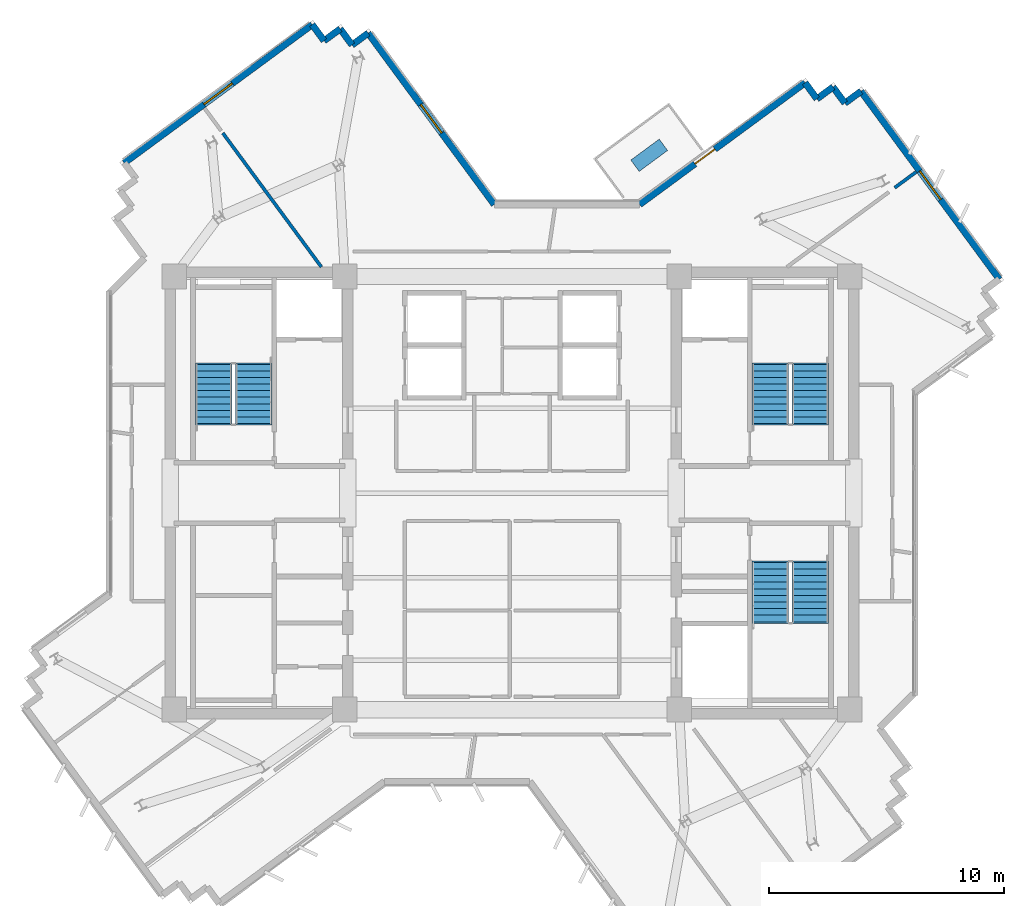
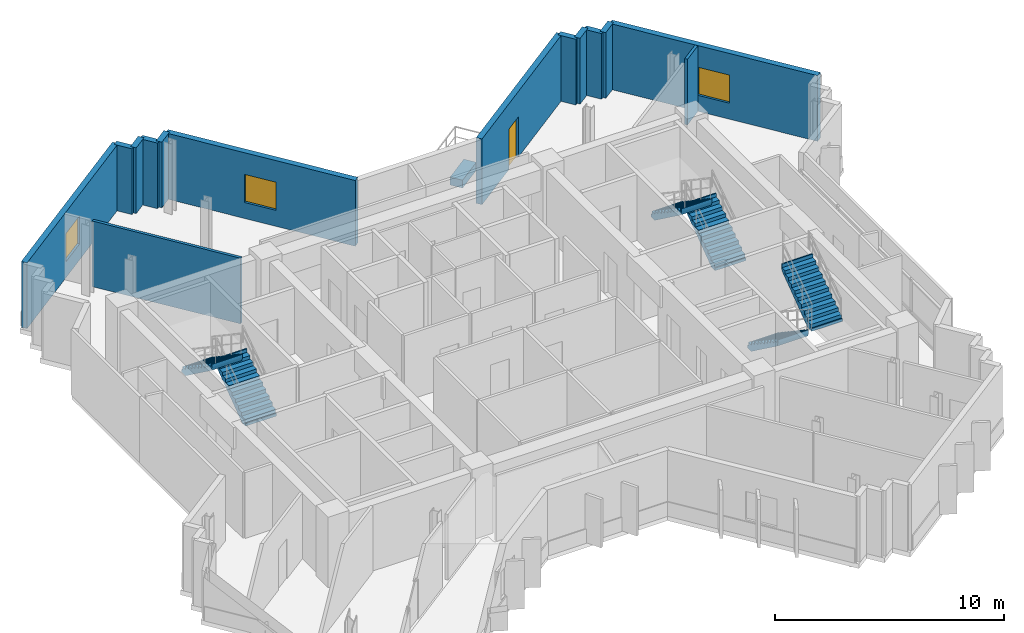
# One storey, part 10 of 13: 14 walls, 6 stair flights, 3 windows, 1 discrete accessory, 1 door, 4 openings, 3 elements without a shape of their own.
"""IFC4 building model written with IfcOpenShell, lengths in metres."""

from ifc_helpers import new_model, si_unit, direction, frame, frame_2d, origin, origin_2d, place, context, subcontext, project, spatial, polyline, rectangle, outline, extrude, source, transform, mapped, material, layer, layer_set, type_object, element, fill, aggregate, save


model = new_model("IFC4")

# Units and contexts
model_context = context("Model", 3, precision=1e-05, world=origin(), true_north=direction((0.0, 1.0)))
body_context = subcontext(model_context, "Body", "Model", "MODEL_VIEW")
ifc_project = project(units=[si_unit("LENGTHUNIT", "METRE"), si_unit("AREAUNIT", "SQUARE_METRE"), si_unit("VOLUMEUNIT", "CUBIC_METRE"), si_unit("PLANEANGLEUNIT", "RADIAN"), si_unit("MASSUNIT", "GRAM", prefix="KILO")], contexts=[model_context])

# Site, building, storey
site_placement = place(None, origin())
site = spatial("IfcSite", under=ifc_project, at=site_placement, CompositionType="ELEMENT")
building_placement = place(site_placement, origin())
building = spatial("IfcBuilding", under=site, at=building_placement, Name="Zahravan Cultural Tower", CompositionType="ELEMENT")
storey_placement = place(building_placement, frame((0.0, 0.0, 276.60009765625)))
storey = spatial("IfcBuildingStorey", under=building, at=storey_placement, Name="L66", CompositionType="ELEMENT", Elevation=276.60009765625)

# Wall, opening, door
ifc_material_1 = material(Name="Precast concrete C40/50", Category="concrete")
ifc_layer_1 = layer(ifc_material_1, 0.280029296875)
ifc_layer_set_1 = layer_set([ifc_layer_1], Name="Precast concrete C40/50")
wall_type_1 = type_object("IfcWallType", Name="EW-TC-280", PredefinedType="SOLIDWALL", material=ifc_layer_set_1)
wall_1_placement = place(storey_placement, frame((41.423095703125, 39.260009765625, 0.0), z_axis=(0.0, 0.0, 1.0), x_axis=(0.805403112922, 0.592727446383, 0.0)))
wall_1 = element("IfcWall", 1, at=wall_1_placement, inside=storey, type_object=wall_type_1, Name="L66 Exterior Masonry Frame Wall 01", PredefinedType="SOLIDWALL", context=body_context, shape_type="SweptSolid", body=[
    extrude(rectangle(XDim=8.7255859375, YDim=0.280029296875, at=frame_2d((4.36279296875, 0.0))), origin(), (0.0, 0.0, 1.0), 3.5),
])
opening_1_placement = place(wall_1_placement, frame((2.9169921875, 0.0, 0.0)))
opening_1 = element("IfcOpeningElement", 2, at=opening_1_placement, cuts=wall_1, Name="Opening D-L66-TR-NE", PredefinedType="OPENING", context=body_context, shape_type="SweptSolid", body=[
    extrude(rectangle(XDim=1.050048828125, YDim=2.14990234375, at=frame_2d((0.52490234375, 1.074951171875))), frame((0.0, 0.14990234375, 0.0), z_axis=(0.0, -1.0, 0.0), x_axis=(1.0, 0.0, 0.0)), (0.0, 0.0, 1.0), 0.300048828125),
])
ifc_material_2 = material(Name="Anodised bronze-aluminium mullion", Category="aluminium")
door_type = type_object("IfcDoorType", Name="DR-TERR-1050", OperationType="NOTDEFINED", PredefinedType="DOOR", material=ifc_material_2)
shared_shape_1 = source(origin(), body_context, "Body", "SweptSolid", [
    extrude(rectangle(XDim=1.050048828125, YDim=2.14990234375, at=frame_2d((0.52490234375, 1.074951171875))), frame((0.0, 0.02490234375, 0.0), z_axis=(0.0, -1.0, 0.0), x_axis=(1.0, 0.0, 0.0)), (0.0, 0.0, 1.0), 0.050048828125),
])
door_placement = place(opening_1_placement, origin())
door = element("IfcDoor", 3, at=door_placement, inside=storey, type_object=door_type, Name="L66 Terrace Access Door NE", OperationType="SINGLE_SWING_LEFT", OverallHeight=2.14990234375, OverallWidth=1.050048828125, PredefinedType="DOOR", context=body_context, shape_type="MappedRepresentation", body=[
    mapped(shared_shape_1, transform((0.0, 0.0, 0.0), x_axis=(1.0, 0.0, 0.0), y_axis=(0.0, 1.0, 0.0), z_axis=(0.0, 0.0, 1.0), scale=1.0)),
])
fill(opening_1, door)

# Wall, opening, window
wall_2_placement = place(storey_placement, frame((50.827392578125, 44.0703125, 0.0), z_axis=(0.0, 0.0, 1.0), x_axis=(0.592722097771, -0.805407049146, 0.0)))
wall_2 = element("IfcWall", 4, at=wall_2_placement, inside=storey, type_object=wall_type_1, Name="L66 Exterior Masonry Frame Wall 06", PredefinedType="SOLIDWALL", context=body_context, shape_type="SweptSolid", body=[
    extrude(rectangle(XDim=9.920166015625, YDim=0.280029296875, at=frame_2d((4.9599609375, 0.0))), origin(), (0.0, 0.0, 1.0), 3.5),
])
opening_2_placement = place(wall_2_placement, frame((4.2099609375, 0.0, 0.85009765625)))
opening_2 = element("IfcOpeningElement", 5, at=opening_2_placement, cuts=wall_2, Name="Opening WN-03", PredefinedType="OPENING", context=body_context, shape_type="SweptSolid", body=[
    extrude(rectangle(XDim=1.5, YDim=1.5, at=frame_2d((0.75, 0.75))), frame((0.0, 0.14990234375, 0.0), z_axis=(0.0, -1.0, 0.0), x_axis=(1.0, 0.0, 0.0)), (0.0, 0.0, 1.0), 0.300048828125),
])
ifc_material_3 = material(Name="Low-E solar-control double glazing", Category="glass")
window_type = type_object("IfcWindowType", Name="WN-REC-1500X1500", PartitioningType="SINGLE_PANEL", PredefinedType="WINDOW", material=ifc_material_3)
shared_shape_2 = source(origin(), body_context, "Body", "SweptSolid", [
    extrude(rectangle(XDim=1.5, YDim=1.5, at=frame_2d((0.75, 0.75))), frame((0.0, 0.030029296875, 0.0), z_axis=(0.0, -1.0, 0.0), x_axis=(1.0, 0.0, 0.0)), (0.0, 0.0, 1.0), 0.06005859375),
])
window_1_placement = place(opening_2_placement, origin())
window_1 = element("IfcWindow", 6, at=window_1_placement, inside=storey, type_object=window_type, Name="L66 Recessed Solar Window 01", OverallHeight=1.5, OverallWidth=1.5, PartitioningType="SINGLE_PANEL", PredefinedType="WINDOW", context=body_context, shape_type="MappedRepresentation", body=[
    mapped(shared_shape_2, transform((0.0, 0.0, 0.0), x_axis=(1.0, 0.0, 0.0), y_axis=(0.0, 1.0, 0.0), z_axis=(0.0, 0.0, 1.0), scale=1.0)),
])
fill(opening_2, window_1)

wall_3_placement = place(storey_placement, frame((19.5224609375, 41.022216796875, 0.0), z_axis=(0.0, 0.0, 1.0), x_axis=(0.805418797839, 0.592706132994, 0.0)))
wall_3 = element("IfcWall", 7, at=wall_3_placement, inside=storey, type_object=wall_type_1, Name="L66 Exterior Masonry Frame Wall 42", PredefinedType="SOLIDWALL", context=body_context, shape_type="SweptSolid", body=[
    extrude(rectangle(XDim=9.919921875, YDim=0.280029296875, at=frame_2d((4.9599609375, 0.0))), origin(), (0.0, 0.0, 1.0), 3.5),
])
opening_3_placement = place(wall_3_placement, frame((4.2099609375, 0.0, 0.85009765625)))
opening_3 = element("IfcOpeningElement", 8, at=opening_3_placement, cuts=wall_3, Name="Opening WN-03", PredefinedType="OPENING", context=body_context, shape_type="SweptSolid", body=[
    extrude(rectangle(XDim=1.5, YDim=1.5, at=frame_2d((0.75, 0.75))), frame((0.0, 0.14990234375, 0.0), z_axis=(0.0, -1.0, 0.0), x_axis=(1.0, 0.0, 0.0)), (0.0, 0.0, 1.0), 0.300048828125),
])
window_2_placement = place(opening_3_placement, origin())
window_2 = element("IfcWindow", 9, at=window_2_placement, inside=storey, type_object=window_type, Name="L66 Recessed Solar Window 06", OverallHeight=1.5, OverallWidth=1.5, PartitioningType="SINGLE_PANEL", PredefinedType="WINDOW", context=body_context, shape_type="MappedRepresentation", body=[
    mapped(shared_shape_2, transform((0.0, 0.0, 0.0), x_axis=(1.0, 0.0, 0.0), y_axis=(0.0, 1.0, 0.0), z_axis=(0.0, 0.0, 1.0), scale=1.0)),
])
fill(opening_3, window_2)

wall_4_placement = place(storey_placement, frame((29.888916015625, 46.540283203125, 0.0), z_axis=(0.0, 0.0, 1.0), x_axis=(0.592715239748, -0.805412096117, 0.0)))
wall_4 = element("IfcWall", 10, at=wall_4_placement, inside=storey, type_object=wall_type_1, Name="L66 Exterior Masonry Frame Wall 47", PredefinedType="SOLIDWALL", context=body_context, shape_type="SweptSolid", body=[
    extrude(rectangle(XDim=9.039306640625, YDim=0.280029296875, at=frame_2d((4.51953125, 0.0))), origin(), (0.0, 0.0, 1.0), 3.5),
])
opening_4_placement = place(wall_4_placement, frame((3.77001953125, 0.0, 0.85009765625)))
opening_4 = element("IfcOpeningElement", 11, at=opening_4_placement, cuts=wall_4, Name="Opening WN-03", PredefinedType="OPENING", context=body_context, shape_type="SweptSolid", body=[
    extrude(rectangle(XDim=1.5, YDim=1.5, at=frame_2d((0.75, 0.75))), frame((0.0, 0.14990234375, 0.0), z_axis=(0.0, -1.0, 0.0), x_axis=(1.0, 0.0, 0.0)), (0.0, 0.0, 1.0), 0.300048828125),
])
window_3_placement = place(opening_4_placement, origin())
window_3 = element("IfcWindow", 12, at=window_3_placement, inside=storey, type_object=window_type, Name="L66 Recessed Solar Window 07", OverallHeight=1.5, OverallWidth=1.5, PartitioningType="SINGLE_PANEL", PredefinedType="WINDOW", context=body_context, shape_type="MappedRepresentation", body=[
    mapped(shared_shape_2, transform((0.0, 0.0, 0.0), x_axis=(1.0, 0.0, 0.0), y_axis=(0.0, 1.0, 0.0), z_axis=(0.0, 0.0, 1.0), scale=1.0)),
])
fill(opening_4, window_3)

# Walls
shared_shape_3 = source(origin(), body_context, "Body", "SweptSolid", [
    extrude(rectangle(XDim=0.85009765625, YDim=0.280029296875, at=frame_2d((0.425048828125, 0.0))), origin(), (0.0, 0.0, 1.0), 3.5),
])
for number, where, z_axis, x_axis, name in (
    (13, (48.45068359375, 44.431884765625, 0.0), (0.0, 0.0, 1.0), (0.592807079659, -0.80534450163, 0.0), "L66 Exterior Masonry Frame Wall 02"),
    (14, (50.142822265625, 43.56640625, 0.0), (0.0, 0.0, 1.0), (0.80534450163, 0.592807079659, 0.0), "L66 Exterior Masonry Frame Wall 05"),
    (15, (27.51220703125, 46.90185546875, 0.0), (0.0, 0.0, 1.0), (0.592807079659, -0.80534450163, 0.0), "L66 Exterior Masonry Frame Wall 43"),
    (16, (28.01611328125, 46.21728515625, 0.0), (0.0, 0.0, 1.0), (0.80534450163, 0.592807079659, 0.0), "L66 Exterior Masonry Frame Wall 44"),
):
    element("IfcWall", number, at=place(storey_placement, frame(where, z_axis=z_axis, x_axis=x_axis)), inside=storey, type_object=wall_type_1, Name=name, PredefinedType="SOLIDWALL", context=body_context, shape_type="MappedRepresentation", body=[
        mapped(shared_shape_3, transform((0.0, 0.0, 0.0), x_axis=(1.0, 0.0, 0.0), y_axis=(0.0, 1.0, 0.0), z_axis=(0.0, 0.0, 1.0), scale=1.0)),
    ])
shared_shape_4 = source(origin(), body_context, "Body", "SweptSolid", [
    extrude(rectangle(XDim=0.849853515625, YDim=0.280029296875, at=frame_2d((0.4248046875, 0.0))), origin(), (0.0, 0.0, 1.0), 3.5),
])
for number, where, z_axis, x_axis, name in (
    (17, (48.95458984375, 43.747314453125, 0.0), (0.0, 0.0, 1.0), (0.805481622783, 0.592620751712, 0.0), "L66 Exterior Masonry Frame Wall 03"),
    (18, (49.63916015625, 44.2509765625, 0.0), (0.0, 0.0, 1.0), (0.592620751712, -0.805481622783, 0.0), "L66 Exterior Masonry Frame Wall 04"),
    (19, (28.70068359375, 46.72119140625, 0.0), (0.0, 0.0, 1.0), (0.592620751712, -0.805481622783, 0.0), "L66 Exterior Masonry Frame Wall 45"),
    (20, (29.204345703125, 46.03662109375, 0.0), (0.0, 0.0, 1.0), (0.805481622783, 0.592620751712, 0.0), "L66 Exterior Masonry Frame Wall 46"),
):
    element("IfcWall", number, at=place(storey_placement, frame(where, z_axis=z_axis, x_axis=x_axis)), inside=storey, type_object=wall_type_1, Name=name, PredefinedType="SOLIDWALL", context=body_context, shape_type="MappedRepresentation", body=[
        mapped(shared_shape_4, transform((0.0, 0.0, 0.0), x_axis=(1.0, 0.0, 0.0), y_axis=(0.0, 1.0, 0.0), z_axis=(0.0, 0.0, 1.0), scale=1.0)),
    ])
ifc_material_4 = material(Name="Gypsum plasterboard partition")
ifc_layer_2 = layer(ifc_material_4, 0.139892578125)
ifc_layer_set_2 = layer_set([ifc_layer_2], Name="Gypsum plasterboard partition")
wall_type_2 = type_object("IfcWallType", Name="W-PART-140", PredefinedType="PARTITIONING", material=ifc_layer_set_2)
shared_shape_5 = source(origin(), body_context, "Body", "SweptSolid", [
    extrude(rectangle(XDim=7.06689453125, YDim=0.139892578125, at=frame_2d((3.533447265625, 0.0))), origin(), (0.0, 0.0, 1.0), 3.5),
])
wall_5_placement = place(storey_placement, frame((23.71240234375, 42.296875, 0.0), z_axis=(0.0, 0.0, 1.0), x_axis=(0.592689830588, -0.805430794493, 0.0)))
element("IfcWall", 21, at=wall_5_placement, inside=storey, type_object=wall_type_2, Name="L66 Interior Wall 094", PredefinedType="PARTITIONING", context=body_context, shape_type="MappedRepresentation", body=[
    mapped(shared_shape_5, transform((0.0, 0.0, 0.0), x_axis=(1.0, 0.0, 0.0), y_axis=(0.0, 1.0, 0.0), z_axis=(0.0, 0.0, 1.0), scale=1.0)),
])
shared_shape_6 = source(origin(), body_context, "Body", "SweptSolid", [
    extrude(rectangle(XDim=1.130126953125, YDim=0.139892578125, at=frame_2d((0.56494140625, 0.0))), origin(), (0.0, 0.0, 1.0), 3.5),
])
wall_6_placement = place(storey_placement, frame((52.26025390625, 39.971923828125, 0.0), z_axis=(0.0, 0.0, 1.0), x_axis=(0.805359802525, 0.592786292416, 0.0)))
element("IfcWall", 22, at=wall_6_placement, inside=storey, type_object=wall_type_2, Name="L66 Interior Wall 098", PredefinedType="PARTITIONING", context=body_context, shape_type="MappedRepresentation", body=[
    mapped(shared_shape_6, transform((0.0, 0.0, 0.0), x_axis=(1.0, 0.0, 0.0), y_axis=(0.0, 1.0, 0.0), z_axis=(0.0, 0.0, 1.0), scale=1.0)),
])

# Stair, stair flights
ifc_material_5 = material(Name="Concrete C45/55", Category="concrete")
stair_type = type_object("IfcStairType", Name="STR-DL-1550-375", PredefinedType="HALF_TURN_STAIR", material=ifc_material_5)
stair_1_placement = place(storey_placement, origin())
stair_1 = element("IfcStair", 23, at=stair_1_placement, inside=storey, type_object=stair_type, Name="L66 West Core North Exit Stair ST-W1", PredefinedType="HALF_TURN_STAIR")
stair_flight_type = type_object("IfcStairFlightType", Name="FLG-DL-1550-375", PredefinedType="STRAIGHT", material=ifc_material_5)
stair_flight_1_placement = place(storey_placement, frame((25.02490234375, 29.949951171875, 0.0), z_axis=(0.0, 0.0, 1.0), x_axis=(0.0, 1.0, 0.0)))
stair_flight_1 = element("IfcStairFlight", 24, at=stair_flight_1_placement, type_object=stair_flight_type, Name="ST-W1 flight 1", NumberOfRisers=10, NumberOfTreads=9, PredefinedType="STRAIGHT", RiserHeight=0.1875, TreadLength=0.28, context=body_context, shape_type="SweptSolid", body=[
    extrude(outline(polyline([(-0.06494140625, -0.139892578125), (-0.06494140625, 0.0), (0.0, 0.0), (0.0, 0.1875), (0.280029296875, 0.1875), (0.280029296875, 0.375), (0.56005859375, 0.375), (0.56005859375, 0.5625), (0.840087890625, 0.5625), (0.840087890625, 0.75), (1.1201171875, 0.75), (1.1201171875, 0.9375), (1.39990234375, 0.9375), (1.39990234375, 1.125), (1.679931640625, 1.125), (1.679931640625, 1.3125), (1.9599609375, 1.3125), (1.9599609375, 1.5), (2.239990234375, 1.5), (2.239990234375, 1.6875), (2.52001953125, 1.6875), (2.52001953125, 1.875), (2.5849609375, 1.875), (2.5849609375, 1.72509765625), (2.52001953125, 1.507080078125), (0.26953125, -0.139892578125), (-0.06494140625, -0.139892578125)])), frame((0.0, 0.77490234375, 0.0), z_axis=(0.0, -1.0, 0.0), x_axis=(1.0, 0.0, 0.0)), (0.0, 0.0, 1.0), 1.550048828125),
])
stair_flight_2_placement = place(storey_placement, frame((23.324951171875, 32.469970703125, 1.875), z_axis=(0.0, 0.0, 1.0), x_axis=(0.0, -1.0, 0.0)))
stair_flight_2 = element("IfcStairFlight", 25, at=stair_flight_2_placement, type_object=stair_flight_type, Name="ST-W1 flight 2", NumberOfRisers=10, NumberOfTreads=9, PredefinedType="STRAIGHT", RiserHeight=0.1875, TreadLength=0.28, context=body_context, shape_type="SweptSolid", body=[
    extrude(outline(polyline([(-0.06494140625, -0.139892578125), (-0.06494140625, 0.0), (0.0, 0.0), (0.0, 0.1875), (0.280029296875, 0.1875), (0.280029296875, 0.375), (0.56005859375, 0.375), (0.56005859375, 0.5625), (0.840087890625, 0.5625), (0.840087890625, 0.75), (1.1201171875, 0.75), (1.1201171875, 0.9375), (1.39990234375, 0.9375), (1.39990234375, 1.125), (1.679931640625, 1.125), (1.679931640625, 1.3125), (1.9599609375, 1.3125), (1.9599609375, 1.5), (2.239990234375, 1.5), (2.239990234375, 1.6875), (2.52001953125, 1.6875), (2.52001953125, 1.875), (2.5849609375, 1.875), (2.5849609375, 1.72509765625), (2.52001953125, 1.507080078125), (0.26953125, -0.139892578125), (-0.06494140625, -0.139892578125)])), frame((0.0, 0.77490234375, 0.0), z_axis=(0.0, -1.0, 0.0), x_axis=(1.0, 0.0, 0.0)), (0.0, 0.0, 1.0), 1.550048828125),
])
aggregate(stair_1, [stair_flight_1, stair_flight_2])

stair_2_placement = place(storey_placement, origin())
stair_2 = element("IfcStair", 26, at=stair_2_placement, inside=storey, type_object=stair_type, Name="L66 East Core North Exit Stair ST-E1", PredefinedType="HALF_TURN_STAIR")
stair_flight_3_placement = place(storey_placement, frame((48.675048828125, 29.949951171875, 0.0), z_axis=(0.0, 0.0, 1.0), x_axis=(0.0, 1.0, 0.0)))
stair_flight_3 = element("IfcStairFlight", 27, at=stair_flight_3_placement, type_object=stair_flight_type, Name="ST-E1 flight 1", NumberOfRisers=10, NumberOfTreads=9, PredefinedType="STRAIGHT", RiserHeight=0.1875, TreadLength=0.28, context=body_context, shape_type="SweptSolid", body=[
    extrude(outline(polyline([(-0.06494140625, -0.139892578125), (-0.06494140625, 0.0), (0.0, 0.0), (0.0, 0.1875), (0.280029296875, 0.1875), (0.280029296875, 0.375), (0.56005859375, 0.375), (0.56005859375, 0.5625), (0.840087890625, 0.5625), (0.840087890625, 0.75), (1.1201171875, 0.75), (1.1201171875, 0.9375), (1.39990234375, 0.9375), (1.39990234375, 1.125), (1.679931640625, 1.125), (1.679931640625, 1.3125), (1.9599609375, 1.3125), (1.9599609375, 1.5), (2.239990234375, 1.5), (2.239990234375, 1.6875), (2.52001953125, 1.6875), (2.52001953125, 1.875), (2.5849609375, 1.875), (2.5849609375, 1.72509765625), (2.52001953125, 1.507080078125), (0.26953125, -0.139892578125), (-0.06494140625, -0.139892578125)])), frame((0.0, 0.77490234375, 0.0), z_axis=(0.0, -1.0, 0.0), x_axis=(1.0, 0.0, 0.0)), (0.0, 0.0, 1.0), 1.550048828125),
])
stair_flight_4_placement = place(storey_placement, frame((46.97509765625, 32.469970703125, 1.875), z_axis=(0.0, 0.0, 1.0), x_axis=(0.0, -1.0, 0.0)))
stair_flight_4 = element("IfcStairFlight", 28, at=stair_flight_4_placement, type_object=stair_flight_type, Name="ST-E1 flight 2", NumberOfRisers=10, NumberOfTreads=9, PredefinedType="STRAIGHT", RiserHeight=0.1875, TreadLength=0.28, context=body_context, shape_type="SweptSolid", body=[
    extrude(outline(polyline([(-0.06494140625, -0.139892578125), (-0.06494140625, 0.0), (0.0, 0.0), (0.0, 0.1875), (0.280029296875, 0.1875), (0.280029296875, 0.375), (0.56005859375, 0.375), (0.56005859375, 0.5625), (0.840087890625, 0.5625), (0.840087890625, 0.75), (1.1201171875, 0.75), (1.1201171875, 0.9375), (1.39990234375, 0.9375), (1.39990234375, 1.125), (1.679931640625, 1.125), (1.679931640625, 1.3125), (1.9599609375, 1.3125), (1.9599609375, 1.5), (2.239990234375, 1.5), (2.239990234375, 1.6875), (2.52001953125, 1.6875), (2.52001953125, 1.875), (2.5849609375, 1.875), (2.5849609375, 1.72509765625), (2.52001953125, 1.507080078125), (0.26953125, -0.139892578125), (-0.06494140625, -0.139892578125)])), frame((0.0, 0.77490234375, 0.0), z_axis=(0.0, -1.0, 0.0), x_axis=(1.0, 0.0, 0.0)), (0.0, 0.0, 1.0), 1.550048828125),
])
aggregate(stair_2, [stair_flight_3, stair_flight_4])

stair_3_placement = place(storey_placement, origin())
stair_3 = element("IfcStair", 29, at=stair_3_placement, inside=storey, type_object=stair_type, Name="L66 East Core South Exit Stair ST-E2", PredefinedType="HALF_TURN_STAIR")
stair_flight_5_placement = place(storey_placement, frame((46.97509765625, 24.050048828125, 0.0), z_axis=(0.0, 0.0, 1.0), x_axis=(0.0, -1.0, 0.0)))
stair_flight_5 = element("IfcStairFlight", 30, at=stair_flight_5_placement, type_object=stair_flight_type, Name="ST-E2 flight 1", NumberOfRisers=10, NumberOfTreads=9, PredefinedType="STRAIGHT", RiserHeight=0.1875, TreadLength=0.28, context=body_context, shape_type="SweptSolid", body=[
    extrude(outline(polyline([(-0.06494140625, -0.139892578125), (-0.06494140625, 0.0), (0.0, 0.0), (0.0, 0.1875), (0.280029296875, 0.1875), (0.280029296875, 0.375), (0.56005859375, 0.375), (0.56005859375, 0.5625), (0.840087890625, 0.5625), (0.840087890625, 0.75), (1.1201171875, 0.75), (1.1201171875, 0.9375), (1.39990234375, 0.9375), (1.39990234375, 1.125), (1.679931640625, 1.125), (1.679931640625, 1.3125), (1.9599609375, 1.3125), (1.9599609375, 1.5), (2.239990234375, 1.5), (2.239990234375, 1.6875), (2.52001953125, 1.6875), (2.52001953125, 1.875), (2.5849609375, 1.875), (2.5849609375, 1.72509765625), (2.52001953125, 1.507080078125), (0.26953125, -0.139892578125), (-0.06494140625, -0.139892578125)])), frame((0.0, 0.77490234375, 0.0), z_axis=(0.0, -1.0, 0.0), x_axis=(1.0, 0.0, 0.0)), (0.0, 0.0, 1.0), 1.550048828125),
])
stair_flight_6_placement = place(storey_placement, frame((48.675048828125, 21.530029296875, 1.875), z_axis=(0.0, 0.0, 1.0), x_axis=(0.0, 1.0, 0.0)))
stair_flight_6 = element("IfcStairFlight", 31, at=stair_flight_6_placement, type_object=stair_flight_type, Name="ST-E2 flight 2", NumberOfRisers=10, NumberOfTreads=9, PredefinedType="STRAIGHT", RiserHeight=0.1875, TreadLength=0.28, context=body_context, shape_type="SweptSolid", body=[
    extrude(outline(polyline([(-0.06494140625, -0.139892578125), (-0.06494140625, 0.0), (0.0, 0.0), (0.0, 0.1875), (0.280029296875, 0.1875), (0.280029296875, 0.375), (0.56005859375, 0.375), (0.56005859375, 0.5625), (0.840087890625, 0.5625), (0.840087890625, 0.75), (1.1201171875, 0.75), (1.1201171875, 0.9375), (1.39990234375, 0.9375), (1.39990234375, 1.125), (1.679931640625, 1.125), (1.679931640625, 1.3125), (1.9599609375, 1.3125), (1.9599609375, 1.5), (2.239990234375, 1.5), (2.239990234375, 1.6875), (2.52001953125, 1.6875), (2.52001953125, 1.875), (2.5849609375, 1.875), (2.5849609375, 1.72509765625), (2.52001953125, 1.507080078125), (0.26953125, -0.139892578125), (-0.06494140625, -0.139892578125)])), frame((0.0, 0.77490234375, 0.0), z_axis=(0.0, -1.0, 0.0), x_axis=(1.0, 0.0, 0.0)), (0.0, 0.0, 1.0), 1.550048828125),
])
aggregate(stair_3, [stair_flight_5, stair_flight_6])

# Discrete accessory
ifc_material_6 = material(Name="Planted soil and terracotta planter", Category="masonry")
discrete_accessory_type = type_object("IfcDiscreteAccessoryType", Name="ACC-PLANTER-TC", PredefinedType="USERDEFINED", material=ifc_material_6)
shared_shape_7 = source(origin(), body_context, "Body", "SweptSolid", [
    extrude(rectangle(XDim=1.5, YDim=0.60009765625, at=origin_2d()), origin(), (0.0, 0.0, 1.0), 0.419921875),
])
discrete_accessory_placement = place(storey_placement, frame((41.828857421875, 41.349609375, 0.0), z_axis=(0.0, 0.0, 1.0), x_axis=(0.80541134648, 0.592716258391, 0.0)))
element("IfcDiscreteAccessory", 32, at=discrete_accessory_placement, inside=storey, type_object=discrete_accessory_type, Name="L66 Terracotta Sculpture Planter NE", ObjectType="PLANTER", PredefinedType="USERDEFINED", context=body_context, shape_type="MappedRepresentation", body=[
    mapped(shared_shape_7, transform((0.0, 0.0, 0.0), x_axis=(1.0, 0.0, 0.0), y_axis=(0.0, 1.0, 0.0), z_axis=(0.0, 0.0, 1.0), scale=1.0)),
])

save(model, "model.ifc")
